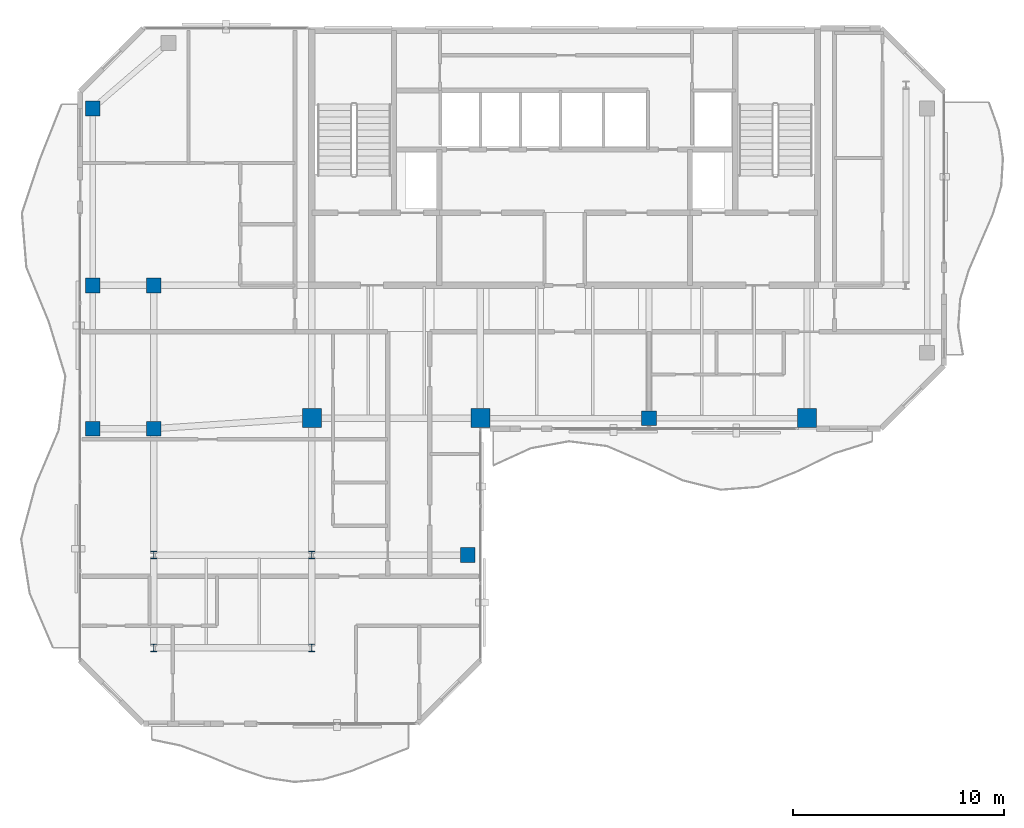
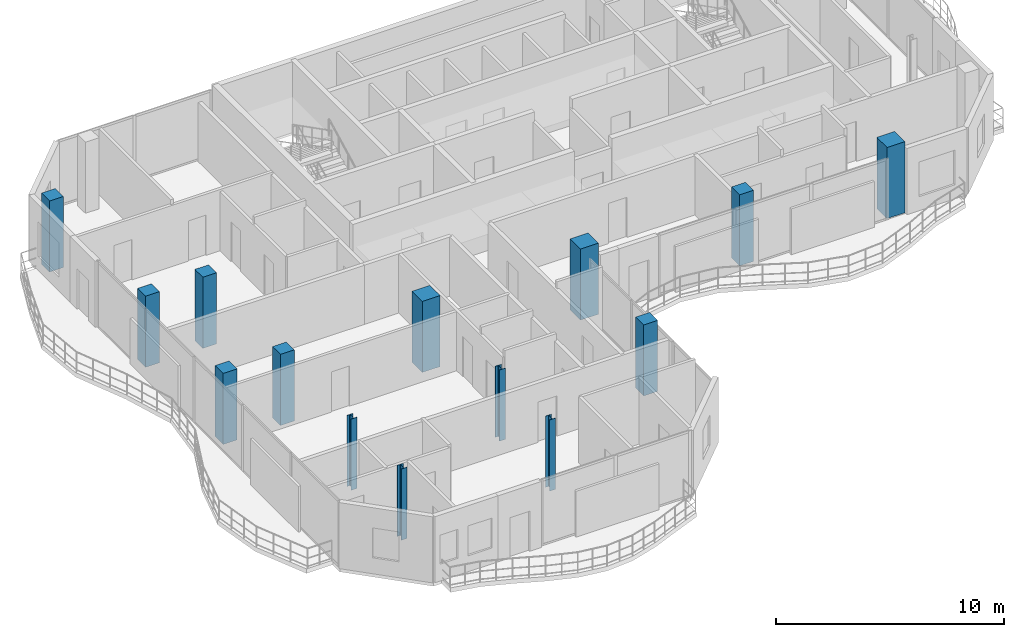
# One storey, part 1 of 22: 14 columns.
"""IFC4 building model written with IfcOpenShell, lengths in metres."""

from ifc_helpers import new_model, si_unit, direction, frame, origin, origin_2d, place, context, subcontext, project, spatial, rectangle, i_section, extrude, material, material_profile, profile_set, type_object, element, save


model = new_model("IFC4")

# Units and contexts
model_context = context("Model", 3, precision=1e-05, world=origin(), true_north=direction((0.0, 1.0)))
body_context = subcontext(model_context, "Body", "Model", "MODEL_VIEW")
ifc_project = project(units=[si_unit("LENGTHUNIT", "METRE"), si_unit("AREAUNIT", "SQUARE_METRE"), si_unit("VOLUMEUNIT", "CUBIC_METRE"), si_unit("PLANEANGLEUNIT", "RADIAN"), si_unit("MASSUNIT", "GRAM", prefix="KILO")], contexts=[model_context])

# Site, building, storey
site_placement = place(None, origin())
site = spatial("IfcSite", under=ifc_project, at=site_placement, CompositionType="ELEMENT")
building_placement = place(site_placement, origin())
building = spatial("IfcBuilding", under=site, at=building_placement, Name="Catumbela Crestline Tower", CompositionType="ELEMENT")
storey_placement = place(building_placement, frame((0.0, 0.0, 256.4)))
storey = spatial("IfcBuildingStorey", under=building, at=storey_placement, Name="L66", CompositionType="ELEMENT", Elevation=256.4)

# Columns
ifc_material_1 = material(Name="Concrete C45/55", Category="concrete")
ifc_material_profile_1 = material_profile(ifc_material_1, rectangle(XDim=0.7, YDim=0.7, at=origin_2d()), Name="RC 700x700")
ifc_profile_set_1 = profile_set([ifc_material_profile_1], Name="Concrete C45/55")
column_type_1 = type_object("IfcColumnType", Name="C-RC700-C45", PredefinedType="COLUMN", material=ifc_profile_set_1)
for number, where, z_axis, x_axis, name in (
    (1, (8.5, 24.0, 0.0), (0.0, 0.0, 1.0), (1.0, 0.0, 0.0), "L66 Column C-08-24 (RC 700x700)"),
    (2, (32.0, 24.5, 0.0), (0.0, 0.0, 1.0), (1.0, 0.0, 0.0), "L66 Column C-32-24 (RC 700x700)"),
    (3, (5.6, 24.0, 0.0), (0.0, 0.0, 1.0), (1.0, 0.0, 0.0), "L66 Column C-05-24 (RC 700x700)"),
    (4, (5.6, 30.8, 0.0), (0.0, 0.0, 1.0), (1.0, 0.0, 0.0), "L66 Column C-05-31 (RC 700x700)"),
    (5, (5.6, 39.2, 0.0), (0.0, 0.0, 1.0), (1.0, 0.0, 0.0), "L66 Column C-05-43 (RC 700x700)"),
    (6, (8.5, 30.8, 0.0), (0.0, 0.0, 1.0), (1.0, 0.0, 0.0), "L66 Column C-08-31 (RC 700x700)"),
    (7, (23.4, 18.0, 0.0), (0.0, 0.0, 1.0), (1.0, 0.0, 0.0), "L66 Column C-24-16 (RC 700x700)"),
):
    element("IfcColumn", number, at=place(storey_placement, frame(where, z_axis=z_axis, x_axis=x_axis)), inside=storey, type_object=column_type_1, Name=name, PredefinedType="COLUMN", context=body_context, shape_type="SweptSolid", body=[
        extrude(rectangle(XDim=0.7, YDim=0.7, at=origin_2d()), origin(), (0.0, 0.0, 1.0), 3.8),
    ])
ifc_material_profile_2 = material_profile(ifc_material_1, rectangle(XDim=0.9, YDim=0.9, at=origin_2d()), Name="RC 900x900")
ifc_profile_set_2 = profile_set([ifc_material_profile_2], Name="Concrete C45/55")
column_type_2 = type_object("IfcColumnType", Name="C-RC900-C45", PredefinedType="COLUMN", material=ifc_profile_set_2)
for number, where, z_axis, x_axis, name in (
    (8, (16.0, 24.5, 0.0), (0.0, 0.0, 1.0), (1.0, 0.0, 0.0), "L66 Column C-16-24 (RC 900x900)"),
    (9, (24.0, 24.5, 0.0), (0.0, 0.0, 1.0), (1.0, 0.0, 0.0), "L66 Column C-24-24 (RC 900x900)"),
    (10, (39.5, 24.5, 0.0), (0.0, 0.0, 1.0), (1.0, 0.0, 0.0), "L66 Column C-40-24 (RC 900x900)"),
):
    element("IfcColumn", number, at=place(storey_placement, frame(where, z_axis=z_axis, x_axis=x_axis)), inside=storey, type_object=column_type_2, Name=name, PredefinedType="COLUMN", context=body_context, shape_type="SweptSolid", body=[
        extrude(rectangle(XDim=0.9, YDim=0.9, at=origin_2d()), origin(), (0.0, 0.0, 1.0), 3.8),
    ])
ifc_material_2 = material(Name="Structural steel S355J2", Category="steel")
ifc_material_profile_3 = material_profile(ifc_material_2, i_section(OverallWidth=0.3, OverallDepth=0.36, WebThickness=0.0125, FlangeThickness=0.0225, FilletRadius=0.027, at=origin_2d()), Name="HEB 360")
ifc_profile_set_3 = profile_set([ifc_material_profile_3], Name="Structural steel S355J2")
column_type_3 = type_object("IfcColumnType", Name="C-ST-HEB360", PredefinedType="COLUMN", material=ifc_profile_set_3)
for number, where, z_axis, x_axis, name in (
    (11, (8.5, 13.6, 0.0), (0.0, 0.0, 1.0), (1.0, 0.0, 0.0), "L66 Column CT-05-10 (HEB 360)"),
    (12, (16.0, 13.6, 0.0), (0.0, 0.0, 1.0), (1.0, 0.0, 0.0), "L66 Column CT-14-10 (HEB 360)"),
    (13, (8.5, 18.0, 0.0), (0.0, 0.0, 1.0), (1.0, 0.0, 0.0), "L66 Column CT-05-16 (HEB 360)"),
    (14, (16.0, 18.0, 0.0), (0.0, 0.0, 1.0), (1.0, 0.0, 0.0), "L66 Column CT-14-16 (HEB 360)"),
):
    element("IfcColumn", number, at=place(storey_placement, frame(where, z_axis=z_axis, x_axis=x_axis)), inside=storey, type_object=column_type_3, Name=name, PredefinedType="COLUMN", context=body_context, shape_type="SweptSolid", body=[
        extrude(i_section(OverallWidth=0.3, OverallDepth=0.36, WebThickness=0.0125, FlangeThickness=0.0225, FilletRadius=0.027, at=origin_2d()), origin(), (0.0, 0.0, 1.0), 3.8),
    ])

save(model, "model.ifc")
